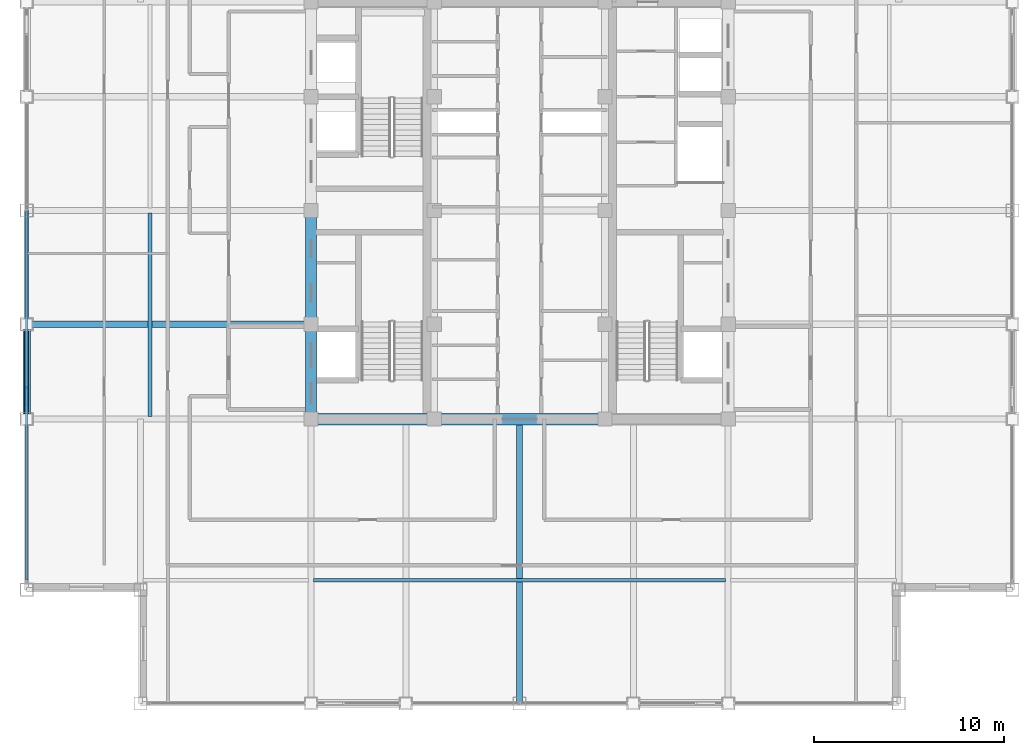
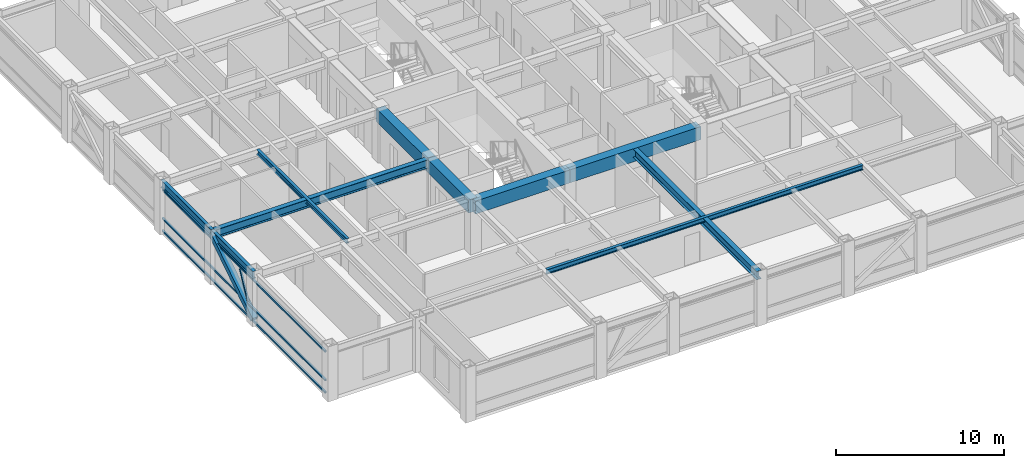
# One storey, part 5 of 29: 10 beams, 5 members, 1 element without a shape of its own.
"""IFC4 building model written with IfcOpenShell, lengths in metres."""

import ifcopenshell
import ifcopenshell.guid

model = None  # the IFC model being written
_history = None  # IfcOwnerHistory: only IFC2X3 demands one
_inside = {}  # id of a spatial element -> (the spatial element, [elements in it])
_under = {}  # id of a project, library or spatial element -> (it, [spatial elements below it])
_declared = {}  # id of a project -> (the project, [libraries it declares])
_typed = {}  # id of a type object -> (the type object, [elements of that type])
_made_of = {}  # id of a material, layer set ... -> (it, [elements and type objects made of it])


def new_model(schema):
    """Start an empty IFC model of exactly this schema.

    Asked for "IFC4X3", IfcOpenShell would pick the latest addendum, in which some entities
    have other attributes; the version numbers below select the first issue.
    IFC2X3 requires an IfcOwnerHistory on every rooted entity: one is made here for all.
    """
    global model, _history
    if schema == "IFC4X3":
        model = ifcopenshell.file(schema_version=(4, 3, 0, 0))
    else:
        model = ifcopenshell.file(schema=schema)
    _inside.clear()
    _under.clear()
    _declared.clear()
    _typed.clear()
    _made_of.clear()
    _history = None
    if model.schema == "IFC2X3":
        org = make("IfcOrganization", Name="unknown")
        user = make(
            "IfcPersonAndOrganization",
            ThePerson=make("IfcPerson", FamilyName="unknown"),
            TheOrganization=org,
        )
        app = make(
            "IfcApplication",
            ApplicationDeveloper=org,
            Version="unknown",
            ApplicationFullName="unknown",
            ApplicationIdentifier="unknown",
        )
        _history = make(
            "IfcOwnerHistory",
            OwningUser=user,
            OwningApplication=app,
            ChangeAction="ADDED",
            CreationDate=0,
        )
    return model


def make(cls, **values):
    """One entity of the class cls with the attributes given. An attribute that is None is left unset."""
    return model.create_entity(
        cls, **{name: value for name, value in values.items() if value is not None}
    )


def rooted(cls, **values):
    """An entity with a GlobalId (a new one), such as an element, a storey or a relation."""
    return make(cls, GlobalId=ifcopenshell.guid.new(), OwnerHistory=_history, **values)


def si_unit(unit_type, name, prefix=None):
    """IfcSIUnit, for example si_unit("LENGTHUNIT", "METRE", prefix="MILLI")."""
    return make("IfcSIUnit", UnitType=unit_type, Prefix=prefix, Name=name)


def assignment(units):
    """IfcUnitAssignment: the units of a project."""
    return None if units is None else make("IfcUnitAssignment", Units=units)


def point(xyz):
    """IfcCartesianPoint."""
    return None if xyz is None else make("IfcCartesianPoint", Coordinates=xyz)


def direction(xyz):
    """IfcDirection."""
    return None if xyz is None else make("IfcDirection", DirectionRatios=xyz)


def frame(location, z_axis=None, x_axis=None):
    """IfcAxis2Placement3D, a coordinate frame: its origin and axes. An axis left out is left unset."""
    return make(
        "IfcAxis2Placement3D",
        Location=point(location),
        Axis=direction(z_axis),
        RefDirection=direction(x_axis),
    )


def frame_2d(location, x_axis=None):
    """IfcAxis2Placement2D, a coordinate frame in the plane: its origin and x axis."""
    return make(
        "IfcAxis2Placement2D", Location=point(location), RefDirection=direction(x_axis)
    )


def origin():
    """The frame at (0, 0, 0) with its axes left unset."""
    return frame((0.0, 0.0, 0.0))


def origin_2d():
    """The frame at (0, 0) in the plane with its x axis left unset."""
    return frame_2d((0.0, 0.0))


def place(relative_to, where):
    """IfcLocalPlacement: puts the frame where relative to a parent placement (None: the world)."""
    return make(
        "IfcLocalPlacement", PlacementRelTo=relative_to, RelativePlacement=where
    )


def context(
    kind, dimensions, precision=None, world=None, true_north=None, identifier=None
):
    """IfcGeometricRepresentationContext, for example the 3D "Model" context."""
    return make(
        "IfcGeometricRepresentationContext",
        ContextIdentifier=identifier,
        ContextType=kind,
        CoordinateSpaceDimension=dimensions,
        Precision=precision,
        WorldCoordinateSystem=world,
        TrueNorth=true_north,
    )


def subcontext(parent, identifier, kind, view, scale=None):
    """IfcGeometricRepresentationSubContext, for example "Body" below "Model"."""
    return make(
        "IfcGeometricRepresentationSubContext",
        ContextIdentifier=identifier,
        ContextType=kind,
        ParentContext=parent,
        TargetScale=scale,
        TargetView=view,
    )


def project(units=None, contexts=None):
    """IfcProject with its units and contexts."""
    return rooted(
        "IfcProject",
        Name="project",
        RepresentationContexts=contexts,
        UnitsInContext=assignment(units),
    )


def spatial(cls, under=None, at=None, **own):
    """A site, building, storey or space (cls), placed at a placement, below another one or the project."""
    s = rooted(cls, ObjectPlacement=at, **own)
    if under is not None:
        _under.setdefault(under.id(), (under, []))[1].append(s)
    return s


def profile(cls, at=None, kind="AREA", **sizes):
    """A parametric profile (cls). Its sizes go by their IFC names, for example OverallWidth=200.0."""
    return make(cls, ProfileType=kind, Position=at, **sizes)


def rectangle(**sizes):
    """IfcRectangleProfileDef."""
    return profile("IfcRectangleProfileDef", **sizes)


def hollow_rectangle(**sizes):
    """IfcRectangleHollowProfileDef."""
    return profile("IfcRectangleHollowProfileDef", **sizes)


def i_section(**sizes):
    """IfcIShapeProfileDef."""
    return profile("IfcIShapeProfileDef", **sizes)


def extrude(swept, where, along, depth):
    """IfcExtrudedAreaSolid: the profile swept, set in the frame where, extruded along a direction by depth."""
    return make(
        "IfcExtrudedAreaSolid",
        SweptArea=swept,
        Position=where,
        ExtrudedDirection=direction(along),
        Depth=depth,
    )


def shape(context_of_items, identifier, shape_type, items):
    """IfcShapeRepresentation: the items that make up one representation, for example the "Body"."""
    return make(
        "IfcShapeRepresentation",
        ContextOfItems=context_of_items,
        RepresentationIdentifier=identifier,
        RepresentationType=shape_type,
        Items=items,
    )


def source(mapping_origin, context_of_items, identifier, shape_type, items):
    """IfcRepresentationMap: a shape defined once, which mapped items show again and again."""
    return make(
        "IfcRepresentationMap",
        MappingOrigin=mapping_origin,
        MappedRepresentation=shape(context_of_items, identifier, shape_type, items),
    )


def transform(
    local_origin,
    x_axis=None,
    y_axis=None,
    z_axis=None,
    scale=None,
    scale2=None,
    scale3=None,
    uniform=True,
):
    """IfcCartesianTransformationOperator3D, or its non-uniform kind. x_axis, y_axis, z_axis: its Axis1, 2, 3."""
    if uniform:
        return make(
            "IfcCartesianTransformationOperator3D",
            Axis1=direction(x_axis),
            Axis2=direction(y_axis),
            LocalOrigin=point(local_origin),
            Scale=scale,
            Axis3=direction(z_axis),
        )
    return make(
        "IfcCartesianTransformationOperator3DnonUniform",
        Axis1=direction(x_axis),
        Axis2=direction(y_axis),
        LocalOrigin=point(local_origin),
        Scale=scale,
        Axis3=direction(z_axis),
        Scale2=scale2,
        Scale3=scale3,
    )


def mapped(mapping_source, mapping_target):
    """IfcMappedItem: shows the shape of a source again, moved by a transform."""
    return make(
        "IfcMappedItem", MappingSource=mapping_source, MappingTarget=mapping_target
    )


def material(Name=None, Category=None):
    """IfcMaterial."""
    return make("IfcMaterial", Name=Name, Category=Category)


def material_profile(
    of_material, cross_section, Name=None, Category=None, Priority=None
):
    """IfcMaterialProfile: a cross section and its material."""
    return make(
        "IfcMaterialProfile",
        Name=Name,
        Material=of_material,
        Profile=cross_section,
        Priority=Priority,
        Category=Category,
    )


def profile_set(profiles, Name=None, composite=None):
    """IfcMaterialProfileSet."""
    return make(
        "IfcMaterialProfileSet",
        Name=Name,
        MaterialProfiles=profiles,
        CompositeProfile=composite,
    )


def made_of(thing, what):
    """Note that an element or type object is made of a material, layer set ...; save() writes the relation."""
    if what is not None:
        _made_of.setdefault(what.id(), (what, []))[1].append(thing)
    return thing


def type_object(cls, material=None, **own):
    """A type object (cls), such as IfcWallType, which elements share."""
    return made_of(rooted(cls, **own), material)


def element(
    cls,
    number,
    at=None,
    inside=None,
    cuts=None,
    type_object=None,
    material=None,
    context=None,
    identifier="Body",
    shape_type=None,
    held_by="IfcProductDefinitionShape",
    body=None,
    shapes=None,
    **own,
):
    """One element of the class cls, such as IfcWall. Its Tag is "e" and its number.

    at: its placement. inside: the storey or other place that contains it. cuts: it is an
    opening in that element (IfcRelVoidsElement). A single representation is given by context,
    identifier, shape_type and body (its items); several are given by shapes. held_by: the class
    of the entity that holds the representations. save() writes the other relations.
    """
    e = rooted(cls, Tag="e%d" % number, ObjectPlacement=at, **own)
    if body is not None:
        shapes = [shape(context, identifier, shape_type, body)]
    if shapes is not None:
        e.Representation = make(held_by, Representations=shapes)
    if inside is not None:
        _inside.setdefault(inside.id(), (inside, []))[1].append(e)
    if cuts is not None:
        rooted(
            "IfcRelVoidsElement", RelatingBuildingElement=cuts, RelatedOpeningElement=e
        )
    if type_object is not None:
        _typed.setdefault(type_object.id(), (type_object, []))[1].append(e)
    return made_of(e, material)


def aggregate(whole, parts):
    """IfcRelAggregates: a whole, such as a stair, and the parts it consists of."""
    return rooted("IfcRelAggregates", RelatingObject=whole, RelatedObjects=parts)


def save(model, path):
    """Write the relations noted so far, then the file.

    IfcRelAggregates (storeys below a building ...), IfcRelContainedInSpatialStructure (elements
    in a storey), IfcRelDefinesByType, IfcRelAssociatesMaterial and IfcRelDeclares: one each for
    every whole, place, type object, material and project.
    """
    for whole, parts in _under.values():
        aggregate(whole, parts)
    for where, things in _inside.values():
        rooted(
            "IfcRelContainedInSpatialStructure",
            RelatedElements=things,
            RelatingStructure=where,
        )
    for kind, things in _typed.values():
        rooted("IfcRelDefinesByType", RelatedObjects=things, RelatingType=kind)
    for what, things in _made_of.values():
        rooted("IfcRelAssociatesMaterial", RelatedObjects=things, RelatingMaterial=what)
    for by, libraries in _declared.values():
        rooted("IfcRelDeclares", RelatingContext=by, RelatedDefinitions=libraries)
    model.write(path)


model = new_model("IFC4")

# Units and contexts
model_context = context("Model", 3, precision=1e-05, world=origin(), true_north=direction((0.0, 1.0)))
body_context = subcontext(model_context, "Body", "Model", "MODEL_VIEW")
ifc_project = project(units=[si_unit("LENGTHUNIT", "METRE"), si_unit("AREAUNIT", "SQUARE_METRE"), si_unit("VOLUMEUNIT", "CUBIC_METRE"), si_unit("PLANEANGLEUNIT", "RADIAN"), si_unit("MASSUNIT", "GRAM", prefix="KILO")], contexts=[model_context])

# Site, building, storey
site_placement = place(None, origin())
site = spatial("IfcSite", under=ifc_project, at=site_placement, CompositionType="ELEMENT")
building_placement = place(site_placement, origin())
building = spatial("IfcBuilding", under=site, at=building_placement, Name="Khorayat Bourse Tower", CompositionType="ELEMENT")
storey_placement = place(building_placement, frame((0.0, 0.0, 366.300048828125)))
storey = spatial("IfcBuildingStorey", under=building, at=storey_placement, Name="L87", CompositionType="ELEMENT", Elevation=366.300048828125)

# Beams
ifc_material_1 = material(Name="Concrete C60/75", Category="concrete")
ifc_material_profile_1 = material_profile(ifc_material_1, rectangle(XDim=0.60009765625, YDim=0.949951171875, at=origin_2d()), Name="RC 600x950")
ifc_profile_set_1 = profile_set([ifc_material_profile_1], Name="Concrete C60/75")
beam_type_1 = type_object("IfcBeamType", Name="BM-COUP-950", PredefinedType="BEAM", material=ifc_profile_set_1)
shared_shape_1 = source(origin(), body_context, "Body", "SweptSolid", [
    extrude(rectangle(XDim=0.60009765625, YDim=0.949951171875, at=origin_2d()), origin(), (0.0, 0.0, 1.0), 5.0),
])
beam_1_placement = place(storey_placement, frame((-11.0, -11.0, 3.264892578125), z_axis=(0.0, 1.0, 0.0), x_axis=(-1.0, 0.0, 0.0)))
element("IfcBeam", 1, at=beam_1_placement, inside=storey, type_object=beam_type_1, Name="L87 BM-COUP-950 BM-L87-CRX-01", PredefinedType="BEAM", context=body_context, shape_type="MappedRepresentation", body=[
    mapped(shared_shape_1, transform((0.0, 0.0, 0.0), scale=1.0)),
])
shared_shape_2 = source(origin(), body_context, "Body", "SweptSolid", [
    extrude(rectangle(XDim=0.60009765625, YDim=0.949951171875, at=origin_2d()), origin(), (0.0, 0.0, 1.0), 6.0),
])
beam_2_placement = place(storey_placement, frame((-11.0, -6.0, 3.264892578125), z_axis=(0.0, 1.0, 0.0), x_axis=(-1.0, 0.0, 0.0)))
element("IfcBeam", 2, at=beam_2_placement, inside=storey, type_object=beam_type_1, Name="L87 BM-COUP-950 BM-L87-CRX-02", PredefinedType="BEAM", context=body_context, shape_type="MappedRepresentation", body=[
    mapped(shared_shape_2, transform((0.0, 0.0, 0.0), scale=1.0)),
])
shared_shape_3 = source(origin(), body_context, "Body", "SweptSolid", [
    extrude(rectangle(XDim=0.60009765625, YDim=0.949951171875, at=origin_2d()), origin(), (0.0, 0.0, 1.0), 6.5),
])
beam_3_placement = place(storey_placement, frame((-11.0, -11.0, 3.264892578125), z_axis=(1.0, 0.0, 0.0), x_axis=(0.0, 1.0, 0.0)))
element("IfcBeam", 3, at=beam_3_placement, inside=storey, type_object=beam_type_1, Name="L87 BM-COUP-950 BM-L87-CRY-17", PredefinedType="BEAM", context=body_context, shape_type="MappedRepresentation", body=[
    mapped(shared_shape_3, transform((0.0, 0.0, 0.0), scale=1.0)),
])
shared_shape_4 = source(origin(), body_context, "Body", "SweptSolid", [
    extrude(rectangle(XDim=0.60009765625, YDim=0.949951171875, at=origin_2d()), origin(), (0.0, 0.0, 1.0), 9.0),
])
beam_4_placement = place(storey_placement, frame((-4.5, -11.0, 3.264892578125), z_axis=(1.0, 0.0, 0.0), x_axis=(0.0, 1.0, 0.0)))
element("IfcBeam", 4, at=beam_4_placement, inside=storey, type_object=beam_type_1, Name="L87 BM-COUP-950 BM-L87-CRY-18", PredefinedType="BEAM", context=body_context, shape_type="MappedRepresentation", body=[
    mapped(shared_shape_4, transform((0.0, 0.0, 0.0), scale=1.0)),
])
ifc_material_2 = material(Name="Steel ASTM A992 Grade 50", Category="steel")
ifc_material_profile_2 = material_profile(ifc_material_2, i_section(OverallWidth=0.202880859375, OverallDepth=0.346923828125, WebThickness=0.0078125, FlangeThickness=0.013427734375, FilletRadius=0.010009765625, at=origin_2d()), Name="W360X64")
ifc_profile_set_2 = profile_set([ifc_material_profile_2], Name="Steel ASTM A992 Grade 50")
beam_type_2 = type_object("IfcBeamType", Name="BM-JOIST-360", PredefinedType="JOIST", material=ifc_profile_set_2)
shared_shape_5 = source(origin(), body_context, "Body", "SweptSolid", [
    extrude(i_section(OverallWidth=0.202880859375, OverallDepth=0.346923828125, WebThickness=0.0078125, FlangeThickness=0.013427734375, FilletRadius=0.010009765625, at=origin_2d()), origin(), (0.0, 0.0, 1.0), 21.740234375),
])
beam_5_placement = place(storey_placement, frame((-10.8701171875, -19.5, 3.56640625), z_axis=(1.0, 0.0, 0.0), x_axis=(0.0, 1.0, 0.0)))
element("IfcBeam", 5, at=beam_5_placement, inside=storey, type_object=beam_type_2, Name="L87 BM-JOIST-360 BM-L87-JSTX-081", PredefinedType="JOIST", context=body_context, shape_type="MappedRepresentation", body=[
    mapped(shared_shape_5, transform((0.0, 0.0, 0.0), scale=1.0)),
])
shared_shape_6 = source(origin(), body_context, "Body", "SweptSolid", [
    extrude(i_section(OverallWidth=0.202880859375, OverallDepth=0.346923828125, WebThickness=0.0078125, FlangeThickness=0.013427734375, FilletRadius=0.010009765625, at=origin_2d()), origin(), (0.0, 0.0, 1.0), 10.740234375),
])
beam_6_placement = place(storey_placement, frame((-19.5, -10.8701171875, 3.56640625), z_axis=(0.0, 1.0, 0.0), x_axis=(-1.0, 0.0, 0.0)))
element("IfcBeam", 6, at=beam_6_placement, inside=storey, type_object=beam_type_2, Name="L87 BM-JOIST-360 BM-L87-JSTY-086", PredefinedType="JOIST", context=body_context, shape_type="MappedRepresentation", body=[
    mapped(shared_shape_6, transform((0.0, 0.0, 0.0), scale=1.0)),
])
ifc_material_profile_3 = material_profile(ifc_material_2, i_section(OverallWidth=0.214111328125, OverallDepth=0.549072265625, WebThickness=0.0146484375, FlangeThickness=0.023681640625, FilletRadius=0.013916015625, at=origin_2d()), Name="W530X138")
ifc_profile_set_3 = profile_set([ifc_material_profile_3], Name="Steel ASTM A992 Grade 50")
beam_type_3 = type_object("IfcBeamType", Name="BM-SPAN-530", PredefinedType="SPANDREL", material=ifc_profile_set_3)
shared_shape_7 = source(origin(), body_context, "Body", "SweptSolid", [
    extrude(i_section(OverallWidth=0.214111328125, OverallDepth=0.549072265625, WebThickness=0.0146484375, FlangeThickness=0.023681640625, FilletRadius=0.013916015625, at=origin_2d()), origin(), (0.0, 0.0, 1.0), 5.0),
])
beam_7_placement = place(storey_placement, frame((-26.0, -11.0, 3.46533203125), z_axis=(0.0, 1.0, 0.0), x_axis=(-1.0, 0.0, 0.0)))
element("IfcBeam", 7, at=beam_7_placement, inside=storey, type_object=beam_type_3, Name="L87 BM-SPAN-530 BM-L87-SPN-052", PredefinedType="SPANDREL", context=body_context, shape_type="MappedRepresentation", body=[
    mapped(shared_shape_7, transform((0.0, 0.0, 0.0), scale=1.0)),
])
shared_shape_8 = source(origin(), body_context, "Body", "SweptSolid", [
    extrude(i_section(OverallWidth=0.214111328125, OverallDepth=0.549072265625, WebThickness=0.0146484375, FlangeThickness=0.023681640625, FilletRadius=0.013916015625, at=origin_2d()), origin(), (0.0, 0.0, 1.0), 6.0),
])
beam_8_placement = place(storey_placement, frame((-26.0, -6.0, 3.46533203125), z_axis=(0.0, 1.0, 0.0), x_axis=(-1.0, 0.0, 0.0)))
element("IfcBeam", 8, at=beam_8_placement, inside=storey, type_object=beam_type_3, Name="L87 BM-SPAN-530 BM-L87-SPN-051", PredefinedType="SPANDREL", context=body_context, shape_type="MappedRepresentation", body=[
    mapped(shared_shape_8, transform((0.0, 0.0, 0.0), scale=1.0)),
])
ifc_material_profile_4 = material_profile(ifc_material_2, i_section(OverallWidth=0.324951171875, OverallDepth=0.615966796875, WebThickness=0.013916015625, FlangeThickness=0.021484375, FilletRadius=0.01611328125, at=origin_2d()), Name="W610X174")
ifc_profile_set_4 = profile_set([ifc_material_profile_4], Name="Steel ASTM A992 Grade 50")
beam_type_4 = type_object("IfcBeamType", Name="BM-GIRD-610", PredefinedType="BEAM", material=ifc_profile_set_4)
shared_shape_9 = source(origin(), body_context, "Body", "SweptSolid", [
    extrude(i_section(OverallWidth=0.324951171875, OverallDepth=0.615966796875, WebThickness=0.013916015625, FlangeThickness=0.021484375, FilletRadius=0.01611328125, at=origin_2d()), origin(), (0.0, 0.0, 1.0), 15.0),
])
for number, where, z_axis, x_axis, name in (
    (9, (0.0, -26.0, 3.431884765625), (0.0, 1.0, 0.0), (-1.0, 0.0, 0.0), "L87 BM-GIRD-610 BM-L87-RADY-061"),
    (10, (-26.0, -6.0, 3.431884765625), (1.0, 0.0, 0.0), (0.0, 1.0, 0.0), "L87 BM-GIRD-610 BM-L87-RADX-069"),
):
    element("IfcBeam", number, at=place(storey_placement, frame(where, z_axis=z_axis, x_axis=x_axis)), inside=storey, type_object=beam_type_4, Name=name, PredefinedType="BEAM", context=body_context, shape_type="MappedRepresentation", body=[
        mapped(shared_shape_9, transform((0.0, 0.0, 0.0), scale=1.0)),
    ])

# Member
ifc_material_3 = material(Name="Steel EN 10025-4 S460M", Category="steel")
ifc_material_profile_5 = material_profile(ifc_material_3, hollow_rectangle(XDim=0.39990234375, YDim=0.39990234375, WallThickness=0.02197265625, at=origin_2d()), Name="HSS 400x400x22")
ifc_profile_set_5 = profile_set([ifc_material_profile_5], Name="Steel EN 10025-4 S460M")
member_type_1 = type_object("IfcMemberType", Name="MBR-TUBE-400", PredefinedType="BRACE", material=ifc_profile_set_5)
shared_shape_10 = source(origin(), body_context, "Body", "SweptSolid", [
    extrude(hollow_rectangle(XDim=0.39990234375, YDim=0.39990234375, WallThickness=0.02197265625, at=origin_2d()), origin(), (0.0, 0.0, 1.0), 5.9580078125),
])
member_1_placement = place(storey_placement, frame((-26.0, -11.0, 0.25), z_axis=(0.0, 0.839210474455, 0.543806748364), x_axis=(-1.0, 0.0, 0.0)))
element("IfcMember", 11, at=member_1_placement, inside=storey, type_object=member_type_1, Name="L87 Perimeter Tube Brace 05", PredefinedType="BRACE", context=body_context, shape_type="MappedRepresentation", body=[
    mapped(shared_shape_10, transform((0.0, 0.0, 0.0), scale=1.0)),
])

# Curtain wall, members
ifc_material_4 = material(Name="Aluminium EN AW-6063 T6", Category="aluminium")
curtain_wall_type = type_object("IfcCurtainWallType", Name="CW-SYS-04", PredefinedType="NOTDEFINED", material=ifc_material_4)
curtain_wall_placement = place(storey_placement, origin())
curtain_wall = element("IfcCurtainWall", 12, at=curtain_wall_placement, inside=storey, type_object=curtain_wall_type, Name="L87 Curtain Wall CW-L87-W1", PredefinedType="NOTDEFINED")
ifc_material_profile_6 = material_profile(ifc_material_4, hollow_rectangle(XDim=0.1201171875, YDim=0.1201171875, WallThickness=0.0048828125, at=origin_2d()), Name="ALU 120x120x5")
ifc_profile_set_6 = profile_set([ifc_material_profile_6], Name="Aluminium EN AW-6063 T6")
member_type_2 = type_object("IfcMemberType", Name="CWM-DIAG-120", PredefinedType="MULLION", material=ifc_profile_set_6)
shared_shape_11 = source(origin(), body_context, "Body", "SweptSolid", [
    extrude(hollow_rectangle(XDim=0.1201171875, YDim=0.1201171875, WallThickness=0.0048828125, at=origin_2d()), origin(), (0.0, 0.0, 1.0), 2.0341796875),
])
member_2_placement = place(storey_placement, frame((-26.0, -10.24365234375, 1.08984375), z_axis=(0.0, 0.465696964104, 0.884944256789), x_axis=(-1.0, 0.0, 0.0)))
member_2 = element("IfcMember", 13, at=member_2_placement, type_object=member_type_2, Name="CW-L87-W1 Faceted Diagonal Mullion 1", PredefinedType="MULLION", context=body_context, shape_type="MappedRepresentation", body=[
    mapped(shared_shape_11, transform((0.0, 0.0, 0.0), scale=1.0)),
])
ifc_material_profile_7 = material_profile(ifc_material_4, hollow_rectangle(XDim=0.1201171875, YDim=0.1201171875, WallThickness=0.0048828125, at=origin_2d()), Name="ALU 120x120x5")
ifc_profile_set_7 = profile_set([ifc_material_profile_7], Name="Aluminium EN AW-6063 T6")
member_type_3 = type_object("IfcMemberType", Name="CWT-HORZ-120", PredefinedType="USERDEFINED", material=ifc_profile_set_7)
shared_shape_12 = source(origin(), body_context, "Body", "SweptSolid", [
    extrude(hollow_rectangle(XDim=0.1201171875, YDim=0.1201171875, WallThickness=0.0048828125, at=origin_2d()), origin(), (0.0, 0.0, 1.0), 19.419921875),
])
member_3_placement = place(storey_placement, frame((-26.0, -19.47998046875, 0.06005859375), z_axis=(0.0, 1.0, 0.0), x_axis=(-1.0, 0.0, 0.0)))
member_3 = element("IfcMember", 14, at=member_3_placement, type_object=member_type_3, Name="CW-L87-W1 Horizontal Transom 1-1", ObjectType="TRANSOM", PredefinedType="USERDEFINED", context=body_context, shape_type="MappedRepresentation", body=[
    mapped(shared_shape_12, transform((0.0, 0.0, 0.0), scale=1.0)),
])
member_4_placement = place(storey_placement, frame((-26.0, -19.47998046875, 0.949951171875), z_axis=(0.0, 1.0, 0.0), x_axis=(-1.0, 0.0, 0.0)))
member_4 = element("IfcMember", 15, at=member_4_placement, type_object=member_type_3, Name="CW-L87-W1 Horizontal Transom 1-2", ObjectType="TRANSOM", PredefinedType="USERDEFINED", context=body_context, shape_type="MappedRepresentation", body=[
    mapped(shared_shape_12, transform((0.0, 0.0, 0.0), scale=1.0)),
])
member_5_placement = place(storey_placement, frame((-26.0, -19.47998046875, 3.030029296875), z_axis=(0.0, 1.0, 0.0), x_axis=(-1.0, 0.0, 0.0)))
member_5 = element("IfcMember", 16, at=member_5_placement, type_object=member_type_3, Name="CW-L87-W1 Horizontal Transom 1-3", ObjectType="TRANSOM", PredefinedType="USERDEFINED", context=body_context, shape_type="MappedRepresentation", body=[
    mapped(shared_shape_12, transform((0.0, 0.0, 0.0), scale=1.0)),
])
aggregate(curtain_wall, [member_3, member_4, member_5, member_2])

save(model, "model.ifc")
